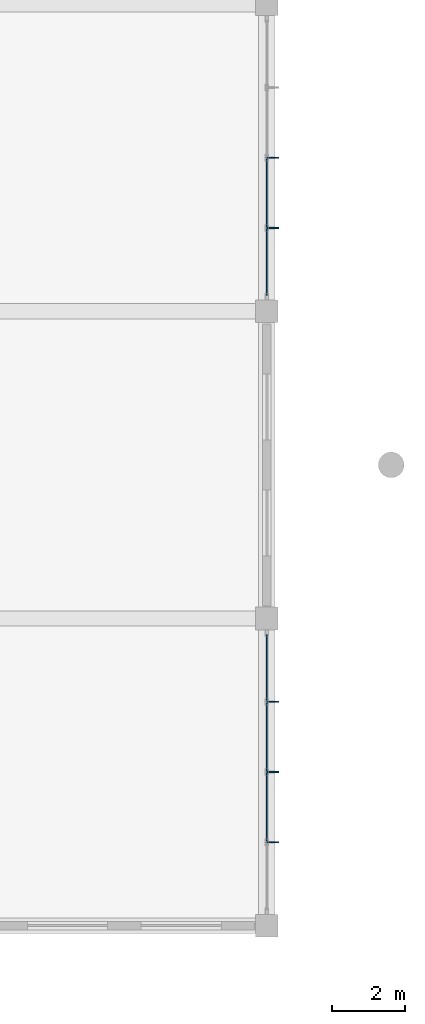
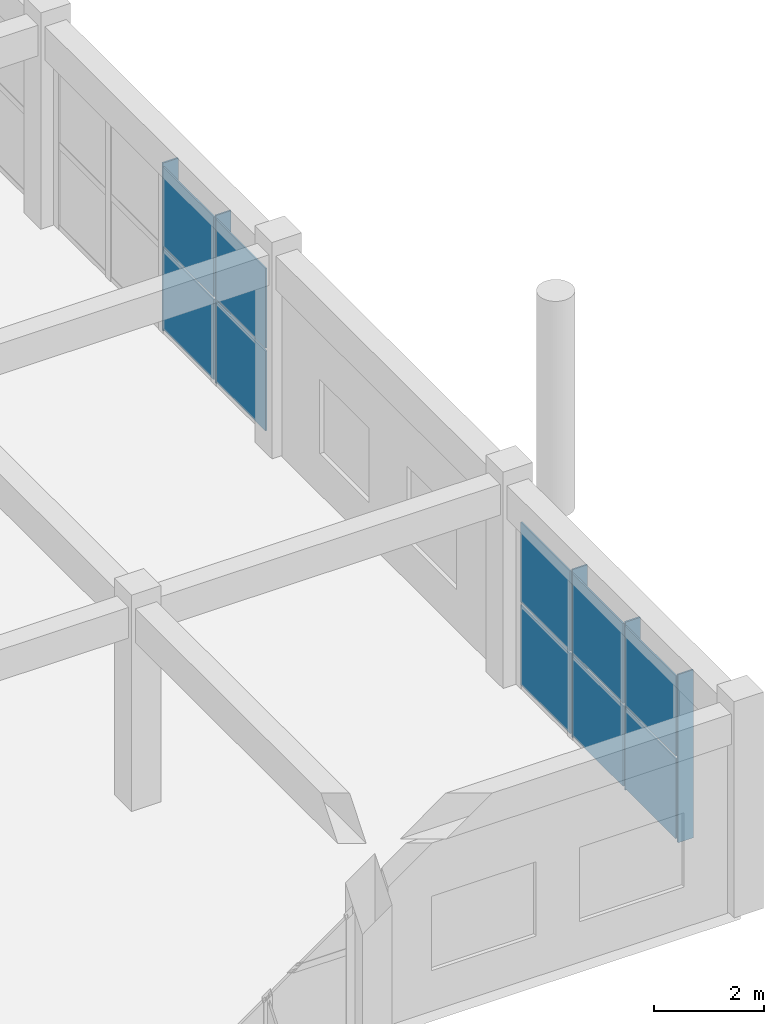
# One storey, part 141 of 167: 15 plates, 2 elements without a shape of their own.
"""IFC4 building model written with IfcOpenShell, lengths in metres."""

from ifc_helpers import new_model, si_unit, direction, frame, origin, origin_2d, place, context, subcontext, project, spatial, polyline, rectangle, outline, extrude, material, layer, layer_set, type_object, element, aggregate, save


model = new_model("IFC4")

# Units and contexts
model_context = context("Model", 3, precision=1e-05, world=origin(), true_north=direction((0.0, 1.0)))
body_context = subcontext(model_context, "Body", "Model", "MODEL_VIEW")
ifc_project = project(units=[si_unit("LENGTHUNIT", "METRE"), si_unit("AREAUNIT", "SQUARE_METRE"), si_unit("VOLUMEUNIT", "CUBIC_METRE"), si_unit("PLANEANGLEUNIT", "RADIAN"), si_unit("MASSUNIT", "GRAM", prefix="KILO")], contexts=[model_context])

# Site, building, storey
site_placement = place(None, origin())
site = spatial("IfcSite", under=ifc_project, at=site_placement, CompositionType="ELEMENT")
building_placement = place(site_placement, origin())
building = spatial("IfcBuilding", under=site, at=building_placement, Name="Zizhar Promenade General Hospital", CompositionType="ELEMENT")
storey_placement = place(building_placement, frame((0.0, 0.0, 9.60009765625)))
storey = spatial("IfcBuildingStorey", under=building, at=storey_placement, Name="L02", CompositionType="ELEMENT", Elevation=9.60009765625)

# Curtain wall, plates
ifc_material_1 = material(Name="Anodised aluminium 6063-T6 and low-E glass", Category="aluminium")
ifc_layer_1 = layer(ifc_material_1, 0.159912109375)
ifc_layer_set_1 = layer_set([ifc_layer_1], Name="Anodised aluminium 6063-T6 and low-E glass")
curtain_wall_type = type_object("IfcCurtainWallType", Name="CW-CLN-EXT", PredefinedType="NOTDEFINED", material=ifc_layer_set_1)
curtain_wall_1_placement = place(storey_placement, origin())
curtain_wall_1 = element("IfcCurtainWall", 1, at=curtain_wall_1_placement, inside=storey, type_object=curtain_wall_type, Name="Outpatient East Curtain Wall L02-5", PredefinedType="NOTDEFINED")
ifc_material_2 = material(Name="Low-E solar-control glass", Category="glass")
ifc_layer_2 = layer(ifc_material_2, 0.031982421875)
ifc_layer_set_2 = layer_set([ifc_layer_2], Name="Low-E solar-control glass")
plate_type_1 = type_object("IfcPlateType", Name="CWP-GLZ-32", PredefinedType="CURTAIN_PANEL", material=ifc_layer_set_2)
plate_1_placement = place(storey_placement, frame((195.0, 49.06005859375, 0.06005859375), z_axis=(0.0, 0.0, 1.0), x_axis=(0.0, -1.0, 0.0)))
plate_1 = element("IfcPlate", 2, at=plate_1_placement, type_object=plate_type_1, Name="CW-09 panel 1.1", PredefinedType="CURTAIN_PANEL", context=body_context, shape_type="SweptSolid", body=[
    extrude(rectangle(XDim=1.800048828125, YDim=0.031982421875, at=origin_2d()), origin(), (0.0, 0.0, 1.0), 1.77490234375),
])
plate_2_placement = place(storey_placement, frame((195.0, 49.06005859375, 1.89501953125), z_axis=(0.0, 0.0, 1.0), x_axis=(0.0, -1.0, 0.0)))
plate_2 = element("IfcPlate", 3, at=plate_2_placement, type_object=plate_type_1, Name="CW-09 panel 1.2", PredefinedType="CURTAIN_PANEL", context=body_context, shape_type="SweptSolid", body=[
    extrude(rectangle(XDim=1.800048828125, YDim=0.031982421875, at=origin_2d()), origin(), (0.0, 0.0, 1.0), 1.77490234375),
])
plate_3_placement = place(storey_placement, frame((195.0, 47.159912109375, 0.06005859375), z_axis=(0.0, 0.0, 1.0), x_axis=(0.0, -1.0, 0.0)))
plate_3 = element("IfcPlate", 4, at=plate_3_placement, type_object=plate_type_1, Name="CW-09 panel 2.1", PredefinedType="CURTAIN_PANEL", context=body_context, shape_type="SweptSolid", body=[
    extrude(rectangle(XDim=1.840087890625, YDim=0.031982421875, at=origin_2d()), origin(), (0.0, 0.0, 1.0), 1.77490234375),
])
plate_4_placement = place(storey_placement, frame((195.0, 47.159912109375, 1.89501953125), z_axis=(0.0, 0.0, 1.0), x_axis=(0.0, -1.0, 0.0)))
plate_4 = element("IfcPlate", 5, at=plate_4_placement, type_object=plate_type_1, Name="CW-09 panel 2.2", PredefinedType="CURTAIN_PANEL", context=body_context, shape_type="SweptSolid", body=[
    extrude(rectangle(XDim=1.840087890625, YDim=0.031982421875, at=origin_2d()), origin(), (0.0, 0.0, 1.0), 1.77490234375),
])
plate_5_placement = place(storey_placement, frame((195.0, 45.239990234375, 0.06005859375), z_axis=(0.0, 0.0, 1.0), x_axis=(0.0, -1.0, 0.0)))
plate_5 = element("IfcPlate", 6, at=plate_5_placement, type_object=plate_type_1, Name="CW-09 panel 3.1", PredefinedType="CURTAIN_PANEL", context=body_context, shape_type="SweptSolid", body=[
    extrude(rectangle(XDim=1.840087890625, YDim=0.031982421875, at=origin_2d()), origin(), (0.0, 0.0, 1.0), 1.77490234375),
])
plate_6_placement = place(storey_placement, frame((195.0, 45.239990234375, 1.89501953125), z_axis=(0.0, 0.0, 1.0), x_axis=(0.0, -1.0, 0.0)))
plate_6 = element("IfcPlate", 7, at=plate_6_placement, type_object=plate_type_1, Name="CW-09 panel 3.2", PredefinedType="CURTAIN_PANEL", context=body_context, shape_type="SweptSolid", body=[
    extrude(rectangle(XDim=1.840087890625, YDim=0.031982421875, at=origin_2d()), origin(), (0.0, 0.0, 1.0), 1.77490234375),
])
aggregate(curtain_wall_1, [plate_1, plate_2, plate_3, plate_4, plate_5, plate_6])

curtain_wall_2_placement = place(storey_placement, origin())
curtain_wall_2 = element("IfcCurtainWall", 8, at=curtain_wall_2_placement, inside=storey, type_object=curtain_wall_type, Name="Outpatient East Curtain Wall L02-7", PredefinedType="NOTDEFINED")
plate_7_placement = place(storey_placement, frame((195.0, 62.0400390625, 0.06005859375), z_axis=(0.0, 0.0, 1.0), x_axis=(0.0, -1.0, 0.0)))
plate_7 = element("IfcPlate", 9, at=plate_7_placement, type_object=plate_type_1, Name="CW-09 panel 3.1", PredefinedType="CURTAIN_PANEL", context=body_context, shape_type="SweptSolid", body=[
    extrude(rectangle(XDim=1.840087890625, YDim=0.031982421875, at=origin_2d()), origin(), (0.0, 0.0, 1.0), 1.77490234375),
])
plate_8_placement = place(storey_placement, frame((195.0, 62.0400390625, 1.89501953125), z_axis=(0.0, 0.0, 1.0), x_axis=(0.0, -1.0, 0.0)))
plate_8 = element("IfcPlate", 10, at=plate_8_placement, type_object=plate_type_1, Name="CW-09 panel 3.2", PredefinedType="CURTAIN_PANEL", context=body_context, shape_type="SweptSolid", body=[
    extrude(rectangle(XDim=1.840087890625, YDim=0.031982421875, at=origin_2d()), origin(), (0.0, 0.0, 1.0), 1.77490234375),
])
plate_9_placement = place(storey_placement, frame((195.0, 60.139892578125, 0.06005859375), z_axis=(0.0, 0.0, 1.0), x_axis=(0.0, -1.0, 0.0)))
plate_9 = element("IfcPlate", 11, at=plate_9_placement, type_object=plate_type_1, Name="CW-09 panel 4.1", PredefinedType="CURTAIN_PANEL", context=body_context, shape_type="SweptSolid", body=[
    extrude(rectangle(XDim=1.800048828125, YDim=0.031982421875, at=origin_2d()), origin(), (0.0, 0.0, 1.0), 1.77490234375),
])
plate_10_placement = place(storey_placement, frame((195.0, 60.139892578125, 1.89501953125), z_axis=(0.0, 0.0, 1.0), x_axis=(0.0, -1.0, 0.0)))
plate_10 = element("IfcPlate", 12, at=plate_10_placement, type_object=plate_type_1, Name="CW-09 panel 4.2", PredefinedType="CURTAIN_PANEL", context=body_context, shape_type="SweptSolid", body=[
    extrude(rectangle(XDim=1.800048828125, YDim=0.031982421875, at=origin_2d()), origin(), (0.0, 0.0, 1.0), 1.77490234375),
])
aggregate(curtain_wall_2, [plate_7, plate_8, plate_9, plate_10])

# Plates
ifc_material_3 = material(Name="Anodised aluminium 6063-T6", Category="aluminium")
ifc_layer_3 = layer(ifc_material_3, 0.033935546875)
ifc_layer_set_3 = layer_set([ifc_layer_3], Name="Anodised aluminium 6063-T6")
plate_type_2 = type_object("IfcPlateType", Name="FIN-ALU-320", PredefinedType="USERDEFINED", material=ifc_layer_set_3)
plate_11_placement = place(storey_placement, origin())
element("IfcPlate", 13, at=plate_11_placement, inside=storey, type_object=plate_type_2, Name="Outpatient East Curtain Wall L02-5 Solar Fin 1", ObjectType="SOLAR_SHADE", PredefinedType="USERDEFINED", context=body_context, shape_type="SweptSolid", body=[
    extrude(outline(polyline([(195.0, 48.136962890625), (195.0, 48.10302734375), (195.320068359375, 48.10302734375), (195.320068359375, 48.136962890625), (195.0, 48.136962890625)])), origin(), (0.0, 0.0, 1.0), 3.72998046875),
])
plate_12_placement = place(storey_placement, origin())
element("IfcPlate", 14, at=plate_12_placement, inside=storey, type_object=plate_type_2, Name="Outpatient East Curtain Wall L02-5 Solar Fin 2", ObjectType="SOLAR_SHADE", PredefinedType="USERDEFINED", context=body_context, shape_type="SweptSolid", body=[
    extrude(outline(polyline([(195.0, 46.217041015625), (195.0, 46.18310546875), (195.320068359375, 46.18310546875), (195.320068359375, 46.217041015625), (195.0, 46.217041015625)])), origin(), (0.0, 0.0, 1.0), 3.72998046875),
])
plate_13_placement = place(storey_placement, origin())
element("IfcPlate", 15, at=plate_13_placement, inside=storey, type_object=plate_type_2, Name="Outpatient East Curtain Wall L02-5 Solar Fin 3", ObjectType="SOLAR_SHADE", PredefinedType="USERDEFINED", context=body_context, shape_type="SweptSolid", body=[
    extrude(outline(polyline([(195.0, 44.297119140625), (195.0, 44.262939453125), (195.320068359375, 44.262939453125), (195.320068359375, 44.297119140625), (195.0, 44.297119140625)])), origin(), (0.0, 0.0, 1.0), 3.72998046875),
])
plate_14_placement = place(storey_placement, origin())
element("IfcPlate", 16, at=plate_14_placement, inside=storey, type_object=plate_type_2, Name="Outpatient East Curtain Wall L02-7 Solar Fin 2", ObjectType="SOLAR_SHADE", PredefinedType="USERDEFINED", context=body_context, shape_type="SweptSolid", body=[
    extrude(outline(polyline([(195.0, 63.01708984375), (195.0, 62.98291015625), (195.320068359375, 62.98291015625), (195.320068359375, 63.01708984375), (195.0, 63.01708984375)])), origin(), (0.0, 0.0, 1.0), 3.72998046875),
])
plate_15_placement = place(storey_placement, origin())
element("IfcPlate", 17, at=plate_15_placement, inside=storey, type_object=plate_type_2, Name="Outpatient East Curtain Wall L02-7 Solar Fin 3", ObjectType="SOLAR_SHADE", PredefinedType="USERDEFINED", context=body_context, shape_type="SweptSolid", body=[
    extrude(outline(polyline([(195.0, 61.096923828125), (195.0, 61.06298828125), (195.320068359375, 61.06298828125), (195.320068359375, 61.096923828125), (195.0, 61.096923828125)])), origin(), (0.0, 0.0, 1.0), 3.72998046875),
])

save(model, "model.ifc")
